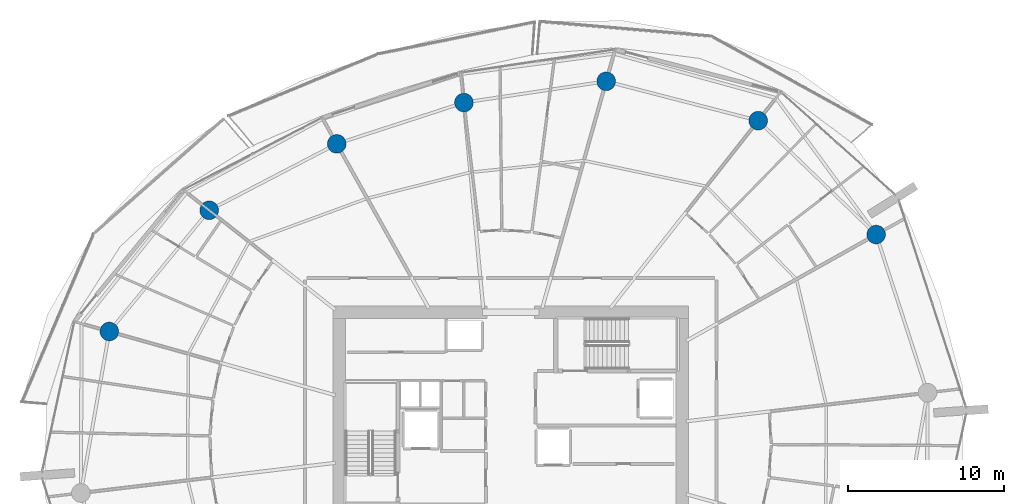
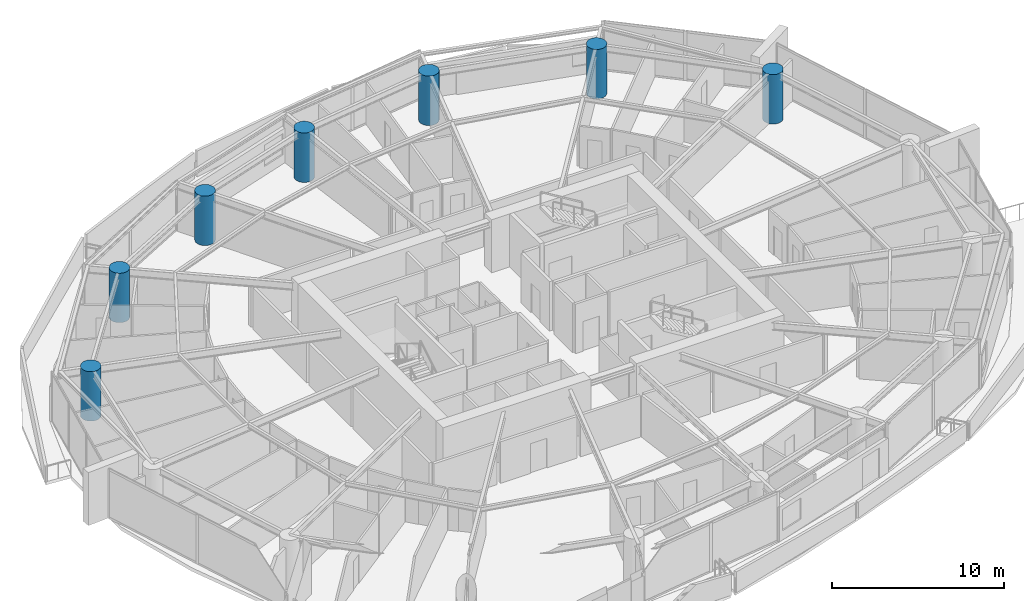
# One storey, part 4 of 23: 7 columns.
"""IFC4 building model written with IfcOpenShell, lengths in metres."""

from ifc_helpers import new_model, si_unit, direction, frame, origin, origin_2d, place, context, subcontext, project, spatial, circle, extrude, material, material_profile, profile_set, type_object, element, save


model = new_model("IFC4")

# Units and contexts
model_context = context("Model", 3, precision=1e-05, world=origin(), true_north=direction((0.0, 1.0)))
body_context = subcontext(model_context, "Body", "Model", "MODEL_VIEW")
ifc_project = project(units=[si_unit("LENGTHUNIT", "METRE"), si_unit("AREAUNIT", "SQUARE_METRE"), si_unit("VOLUMEUNIT", "CUBIC_METRE"), si_unit("PLANEANGLEUNIT", "RADIAN"), si_unit("MASSUNIT", "GRAM", prefix="KILO")], contexts=[model_context])

# Site, building, storey
site_placement = place(None, origin())
site = spatial("IfcSite", under=ifc_project, at=site_placement, CompositionType="ELEMENT")
building_placement = place(site_placement, origin())
building = spatial("IfcBuilding", under=site, at=building_placement, Name="Kazma Halo Residences", CompositionType="ELEMENT")
storey_placement = place(building_placement, frame((0.0, 0.0, 86.39990234375)))
storey = spatial("IfcBuildingStorey", under=building, at=storey_placement, Name="L21", CompositionType="ELEMENT", Elevation=86.39990234375)

# Columns
ifc_material = material(Name="Concrete C80/95", Category="concrete")
ifc_material_profile = material_profile(ifc_material, circle(Radius=0.60009765625, at=origin_2d()), Name="CIRC1200")
ifc_profile_set = profile_set([ifc_material_profile], Name="Concrete C80/95")
column_type = type_object("IfcColumnType", Name="COL-PERIM-1200", PredefinedType="COLUMN", material=ifc_profile_set)
for number, where, z_axis, x_axis, name in (
    (1, (71.9033203125, 55.386474609375, 0.0), (0.0, 0.0, 1.0), (1.0, 0.0, 0.0), "L21 perimeter ring column P01"),
    (2, (64.323486328125, 62.706298828125, 0.0), (0.0, 0.0, 1.0), (1.0, 0.0, 0.0), "L21 perimeter ring column P02"),
    (3, (54.552734375, 65.234130859375, 0.0), (0.0, 0.0, 1.0), (1.0, 0.0, 0.0), "L21 perimeter ring column P03"),
    (4, (45.41162109375, 63.869140625, 0.0), (0.0, 0.0, 1.0), (1.0, 0.0, 0.0), "L21 perimeter ring column P04"),
    (5, (37.23974609375, 61.2138671875, 0.0), (0.0, 0.0, 1.0), (1.0, 0.0, 0.0), "L21 perimeter ring column P05"),
    (6, (29.0419921875, 56.9453125, 0.0), (0.0, 0.0, 1.0), (1.0, 0.0, 0.0), "L21 perimeter ring column P06"),
    (7, (22.623291015625, 49.156982421875, 0.0), (0.0, 0.0, 1.0), (1.0, 0.0, 0.0), "L21 perimeter ring column P07"),
):
    element("IfcColumn", number, at=place(storey_placement, frame(where, z_axis=z_axis, x_axis=x_axis)), inside=storey, type_object=column_type, Name=name, PredefinedType="COLUMN", context=body_context, shape_type="SweptSolid", body=[
        extrude(circle(Radius=0.60009765625, at=origin_2d()), origin(), (0.0, 0.0, 1.0), 3.5),
    ])

save(model, "model.ifc")
